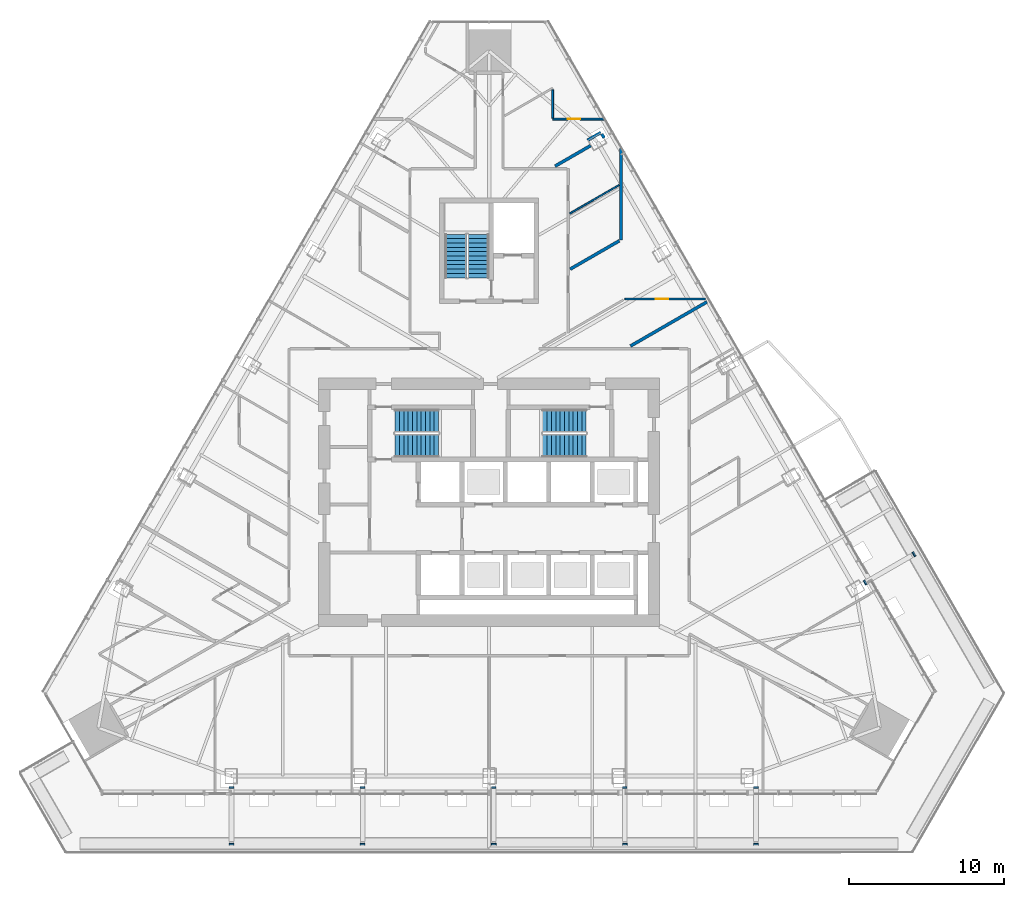
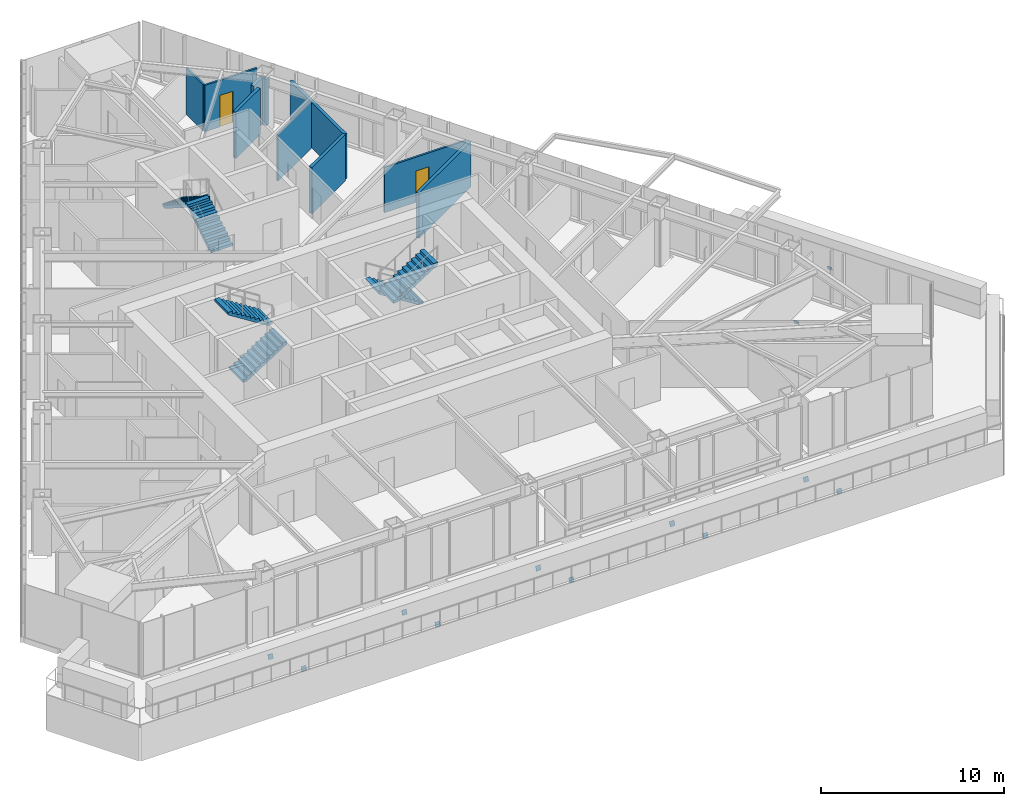
# One storey, part 18 of 21: 12 discrete accessories, 10 walls, 6 stair flights, 2 doors, 2 openings, 3 elements without a shape of their own.
"""IFC4 building model written with IfcOpenShell, lengths in metres."""

from ifc_helpers import new_model, si_unit, direction, frame, frame_2d, origin, place, context, subcontext, project, spatial, polyline, rectangle, outline, extrude, material, layer, layer_set, type_object, element, fill, aggregate, save


model = new_model("IFC4")

# Units and contexts
model_context = context("Model", 3, precision=1e-05, world=origin(), true_north=direction((0.0, 1.0)))
body_context = subcontext(model_context, "Body", "Model", "MODEL_VIEW")
ifc_project = project(units=[si_unit("LENGTHUNIT", "METRE"), si_unit("AREAUNIT", "SQUARE_METRE"), si_unit("VOLUMEUNIT", "CUBIC_METRE"), si_unit("PLANEANGLEUNIT", "RADIAN"), si_unit("MASSUNIT", "GRAM", prefix="KILO")], contexts=[model_context])

# Site, building, storey
site_placement = place(None, origin())
site = spatial("IfcSite", under=ifc_project, at=site_placement, CompositionType="ELEMENT")
building_placement = place(site_placement, origin())
building = spatial("IfcBuilding", under=site, at=building_placement, Name="Firuza Gate Tower and Library", CompositionType="ELEMENT")
storey_placement = place(building_placement, frame((0.0, 0.0, 222.10009765625)))
storey = spatial("IfcBuildingStorey", under=building, at=storey_placement, Name="L52", CompositionType="ELEMENT", Elevation=222.10009765625)

# Walls
ifc_material_1 = material(Name="Gypsum board partition")
ifc_layer_1 = layer(ifc_material_1, 0.199951171875)
ifc_layer_set_1 = layer_set([ifc_layer_1], Name="Demising wall 200 acoustic double stud")
wall_type_1 = type_object("IfcWallType", Name="Demising wall 200 acoustic double stud", PredefinedType="PARTITIONING", material=ifc_layer_set_1)
wall_1_placement = place(storey_placement, frame((84.115234375, 85.065185546875, 0.0), z_axis=(0.0, 0.0, 1.0), x_axis=(0.866027152591, 0.499996970966, 0.0)))
element("IfcWall", 1, at=wall_1_placement, inside=storey, type_object=wall_type_1, Name="f:L52:w025", PredefinedType="PARTITIONING", context=body_context, shape_type="SweptSolid", body=[
    extrude(rectangle(XDim=5.69677734375, YDim=0.199951171875, at=frame_2d((2.848388671875, 0.0))), origin(), (0.0, 0.0, 1.0), 3.02197265625),
])
wall_2_placement = place(storey_placement, frame((80.226806640625, 90.023193359375, 0.0), z_axis=(0.0, 0.0, 1.0), x_axis=(0.866020252061, 0.500008922941, 0.0)))
element("IfcWall", 2, at=wall_2_placement, inside=storey, type_object=wall_type_1, Name="f:L52:w028", PredefinedType="PARTITIONING", context=body_context, shape_type="SweptSolid", body=[
    extrude(rectangle(XDim=3.6640625, YDim=0.199951171875, at=frame_2d((1.83203125, 0.0))), origin(), (0.0, 0.0, 1.0), 3.099853515625),
])
wall_3_placement = place(storey_placement, frame((79.254638671875, 96.6650390625, 0.0), z_axis=(0.0, 0.0, 1.0), x_axis=(0.866048852527, 0.499959383386, 0.0)))
element("IfcWall", 3, at=wall_3_placement, inside=storey, type_object=wall_type_1, Name="f:L52:w030", PredefinedType="PARTITIONING", context=body_context, shape_type="SweptSolid", body=[
    extrude(rectangle(XDim=2.646240234375, YDim=0.199951171875, at=frame_2d((1.3232421875, 0.0))), origin(), (0.0, 0.0, 1.0), 3.099853515625),
])
wall_4_placement = place(storey_placement, frame((81.346435546875, 98.33447265625, 0.0), z_axis=(0.0, 0.0, 1.0), x_axis=(0.866010750942, 0.50002537861, 0.0)))
element("IfcWall", 4, at=wall_4_placement, inside=storey, type_object=wall_type_1, Name="f:L52:w031", PredefinedType="PARTITIONING", context=body_context, shape_type="SweptSolid", body=[
    extrude(rectangle(XDim=1.0, YDim=0.199951171875, at=frame_2d((0.5, 0.0))), origin(), (0.0, 0.0, 1.0), 3.099853515625),
])
wall_5_placement = place(storey_placement, frame((83.5, 91.912841796875, 0.0), z_axis=(0.0, 0.0, 1.0), x_axis=(0.0, 1.0, 0.0)))
element("IfcWall", 5, at=wall_5_placement, inside=storey, type_object=wall_type_1, Name="f:L52:w044", PredefinedType="PARTITIONING", context=body_context, shape_type="SweptSolid", body=[
    extrude(rectangle(XDim=5.8916015625, YDim=0.199951171875, at=frame_2d((2.94580078125, 0.0))), origin(), (0.0, 0.0, 1.0), 3.02197265625),
])
wall_6_placement = place(storey_placement, frame((82.412109375, 98.488037109375, 0.0), z_axis=(0.0, 0.0, 1.0), x_axis=(-0.499941024108, 0.866059450854, 0.0)))
element("IfcWall", 6, at=wall_6_placement, inside=storey, type_object=wall_type_1, Name="f:L52:w063", PredefinedType="PARTITIONING", context=body_context, shape_type="SweptSolid", body=[
    extrude(rectangle(XDim=0.2900390625, YDim=0.199951171875, at=frame_2d((0.14501953125, 0.0))), origin(), (0.0, 0.0, 1.0), 3.099853515625),
])
ifc_material_2 = material(Name="Gypsum board partition")
ifc_layer_2 = layer(ifc_material_2, 0.10009765625)
ifc_layer_set_2 = layer_set([ifc_layer_2], Name="Partition 100 gypsum board on steel studs")
wall_type_2 = type_object("IfcWallType", Name="Partition 100 gypsum board on steel studs", PredefinedType="PARTITIONING", material=ifc_layer_set_2)
wall_7_placement = place(storey_placement, frame((80.200927734375, 93.60986328125, 0.0), z_axis=(0.0, 0.0, 1.0), x_axis=(0.866020252061, 0.500008922941, 0.0)))
element("IfcWall", 7, at=wall_7_placement, inside=storey, type_object=wall_type_2, Name="f:L52:w029", PredefinedType="PARTITIONING", context=body_context, shape_type="SweptSolid", body=[
    extrude(rectangle(XDim=3.6640625, YDim=0.10009765625, at=frame_2d((1.83203125, 0.0))), origin(), (0.0, 0.0, 1.0), 3.099853515625),
])

# Wall, opening, door
ifc_material_3 = material(Name="Gypsum board partition")
ifc_layer_3 = layer(ifc_material_3, 0.1201171875)
ifc_layer_set_3 = layer_set([ifc_layer_3], Name="Wet-area partition 120 moisture-resistant board")
wall_type_3 = type_object("IfcWallType", Name="Wet-area partition 120 moisture-resistant board", PredefinedType="PARTITIONING", material=ifc_layer_set_3)
wall_8_placement = place(storey_placement, frame((88.941162109375, 88.10009765625, 0.0), z_axis=(0.0, 0.0, 1.0), x_axis=(-1.0, 0.0, 0.0)))
wall_8 = element("IfcWall", 8, at=wall_8_placement, inside=storey, type_object=wall_type_3, Name="f:L52:w006", PredefinedType="PARTITIONING", context=body_context, shape_type="SweptSolid", body=[
    extrude(rectangle(XDim=5.183349609375, YDim=0.1201171875, at=frame_2d((2.591796875, 0.0))), origin(), (0.0, 0.0, 1.0), 3.02197265625),
])
opening_1_placement = place(wall_8_placement, frame((2.3994140625, 0.0, 0.0)))
opening_1 = element("IfcOpeningElement", 9, at=opening_1_placement, cuts=wall_8, Name="Opening L52-08", PredefinedType="OPENING", context=body_context, shape_type="SweptSolid", body=[
    extrude(rectangle(XDim=0.800048828125, YDim=2.10009765625, at=frame_2d((0.39990234375, 1.050048828125))), frame((0.0, 0.070068359375, 0.0), z_axis=(0.0, -1.0, 0.0), x_axis=(1.0, 0.0, 0.0)), (0.0, 0.0, 1.0), 0.14013671875),
])
ifc_material_4 = material(Name="Timber door", Category="wood")
door_type = type_object("IfcDoorType", Name="Door 800 x 2100 timber leaf", OperationType="NOTDEFINED", PredefinedType="DOOR", material=ifc_material_4)
door_1_placement = place(opening_1_placement, origin())
door_1 = element("IfcDoor", 10, at=door_1_placement, inside=storey, type_object=door_type, Name="f:L52:d008", OperationType="SINGLE_SWING_LEFT", OverallHeight=2.10009765625, OverallWidth=0.800048828125, PredefinedType="DOOR", context=body_context, shape_type="SweptSolid", body=[
    extrude(rectangle(XDim=0.800048828125, YDim=2.10009765625, at=frame_2d((0.39990234375, 1.050048828125))), frame((0.0, 0.02490234375, 0.0), z_axis=(0.0, -1.0, 0.0), x_axis=(1.0, 0.0, 0.0)), (0.0, 0.0, 1.0), 0.050048828125),
])
fill(opening_1, door_1)

wall_9_placement = place(storey_placement, frame((82.405517578125, 99.699951171875, 0.0), z_axis=(0.0, 0.0, 1.0), x_axis=(-1.0, 0.0, 0.0)))
wall_9 = element("IfcWall", 11, at=wall_9_placement, inside=storey, type_object=wall_type_3, Name="f:L52:w010", PredefinedType="PARTITIONING", context=body_context, shape_type="SweptSolid", body=[
    extrude(rectangle(XDim=3.305419921875, YDim=0.1201171875, at=frame_2d((1.65283203125, 0.0))), origin(), (0.0, 0.0, 1.0), 3.099853515625),
])
opening_2_placement = place(wall_9_placement, frame((1.54150390625, 0.0, 0.0)))
opening_2 = element("IfcOpeningElement", 12, at=opening_2_placement, cuts=wall_9, Name="Opening L52-09", PredefinedType="OPENING", context=body_context, shape_type="SweptSolid", body=[
    extrude(rectangle(XDim=0.800048828125, YDim=2.10009765625, at=frame_2d((0.39990234375, 1.050048828125))), frame((0.0, 0.070068359375, 0.0), z_axis=(0.0, -1.0, 0.0), x_axis=(1.0, 0.0, 0.0)), (0.0, 0.0, 1.0), 0.14013671875),
])
door_2_placement = place(opening_2_placement, origin())
door_2 = element("IfcDoor", 13, at=door_2_placement, inside=storey, type_object=door_type, Name="f:L52:d009", OperationType="SINGLE_SWING_LEFT", OverallHeight=2.10009765625, OverallWidth=0.800048828125, PredefinedType="DOOR", context=body_context, shape_type="SweptSolid", body=[
    extrude(rectangle(XDim=0.800048828125, YDim=2.10009765625, at=frame_2d((0.39990234375, 1.050048828125))), frame((0.0, 0.02490234375, 0.0), z_axis=(0.0, -1.0, 0.0), x_axis=(1.0, 0.0, 0.0)), (0.0, 0.0, 1.0), 0.050048828125),
])
fill(opening_2, door_2)

# Wall
wall_10_placement = place(storey_placement, frame((79.10009765625, 99.760009765625, 0.0), z_axis=(0.0, 0.0, 1.0), x_axis=(0.0, 1.0, 0.0)))
element("IfcWall", 14, at=wall_10_placement, inside=storey, type_object=wall_type_3, Name="f:L52:w046", PredefinedType="PARTITIONING", context=body_context, shape_type="SweptSolid", body=[
    extrude(rectangle(XDim=1.828857421875, YDim=0.1201171875, at=frame_2d((0.91455078125, 0.0))), origin(), (0.0, 0.0, 1.0), 3.099853515625),
])

# Stair, stair flights
ifc_material_5 = material(Name="Concrete C35/45", Category="concrete")
stair_type_1 = type_object("IfcStairType", Name="Exit stair ST16", PredefinedType="HALF_TURN_STAIR", material=ifc_material_5)
placement = place(storey_placement, origin())
stair_1 = element("IfcStair", 15, at=placement, inside=storey, type_object=stair_type_1, Name="L52 Stair ST3", PredefinedType="HALF_TURN_STAIR")
ifc_material_6 = material(Name="Concrete C35/45", Category="concrete")
stair_flight_type_1 = type_object("IfcStairFlightType", Name="Stair flight 11 risers 177.3 width 1370", PredefinedType="STRAIGHT", material=ifc_material_6)
stair_flight_1_placement = place(storey_placement, frame((74.31494140625, 89.469970703125, 0.0), z_axis=(0.0, 0.0, 1.0), x_axis=(0.0, 1.0, 0.0)))
stair_flight_1 = element("IfcStairFlight", 16, at=stair_flight_1_placement, type_object=stair_flight_type_1, Name="ST3 flight 1", NumberOfRisers=11, NumberOfTreads=10, PredefinedType="STRAIGHT", RiserHeight=0.177272727, TreadLength=0.28, context=body_context, shape_type="SweptSolid", body=[
    extrude(outline(polyline([(0.0, 0.0), (0.0, 0.17724609375), (0.280029296875, 0.17724609375), (0.280029296875, 0.3544921875), (0.56005859375, 0.3544921875), (0.56005859375, 0.53173828125), (0.840087890625, 0.53173828125), (0.840087890625, 0.708984375), (1.1201171875, 0.708984375), (1.1201171875, 0.886474609375), (1.39990234375, 0.886474609375), (1.39990234375, 1.063720703125), (1.679931640625, 1.063720703125), (1.679931640625, 1.240966796875), (1.9599609375, 1.240966796875), (1.9599609375, 1.418212890625), (2.239990234375, 1.418212890625), (2.239990234375, 1.595458984375), (2.52001953125, 1.595458984375), (2.52001953125, 1.772705078125), (2.800048828125, 1.772705078125), (2.800048828125, 1.949951171875), (2.800048828125, 1.59521484375), (0.2802734375, 0.0), (0.0, 0.0)])), frame((0.0, 0.68505859375, 0.0), z_axis=(0.0, -1.0, 0.0), x_axis=(1.0, 0.0, 0.0)), (0.0, 0.0, 1.0), 1.3701171875),
])
stair_flight_2_placement = place(storey_placement, frame((72.844970703125, 92.27001953125, 1.949951171875), z_axis=(0.0, 0.0, 1.0), x_axis=(0.0, -1.0, 0.0)))
stair_flight_2 = element("IfcStairFlight", 17, at=stair_flight_2_placement, type_object=stair_flight_type_1, Name="ST3 flight 2", NumberOfRisers=11, NumberOfTreads=10, PredefinedType="STRAIGHT", RiserHeight=0.177272727, TreadLength=0.28, context=body_context, shape_type="SweptSolid", body=[
    extrude(outline(polyline([(0.0, 0.0), (0.0, 0.17724609375), (0.280029296875, 0.17724609375), (0.280029296875, 0.3544921875), (0.56005859375, 0.3544921875), (0.56005859375, 0.53173828125), (0.840087890625, 0.53173828125), (0.840087890625, 0.708984375), (1.1201171875, 0.708984375), (1.1201171875, 0.886474609375), (1.39990234375, 0.886474609375), (1.39990234375, 1.063720703125), (1.679931640625, 1.063720703125), (1.679931640625, 1.240966796875), (1.9599609375, 1.240966796875), (1.9599609375, 1.418212890625), (2.239990234375, 1.418212890625), (2.239990234375, 1.595458984375), (2.52001953125, 1.595458984375), (2.52001953125, 1.772705078125), (2.800048828125, 1.772705078125), (2.800048828125, 1.949951171875), (2.800048828125, 1.59521484375), (0.2802734375, 0.0), (0.0, 0.0)])), frame((0.0, 0.68505859375, 0.0), z_axis=(0.0, -1.0, 0.0), x_axis=(1.0, 0.0, 0.0)), (0.0, 0.0, 1.0), 1.3701171875),
])
aggregate(stair_1, [stair_flight_1, stair_flight_2])

ifc_material_7 = material(Name="Concrete C35/45", Category="concrete")
stair_type_2 = type_object("IfcStairType", Name="Exit stair ST7", PredefinedType="HALF_TURN_STAIR", material=ifc_material_7)
stair_2 = element("IfcStair", 18, at=placement, inside=storey, type_object=stair_type_2, Name="L52 Stair ST1", PredefinedType="HALF_TURN_STAIR")
ifc_material_8 = material(Name="Concrete C35/45", Category="concrete")
stair_flight_type_2 = type_object("IfcStairFlightType", Name="Stair flight 11 risers 177.3 width 1490", PredefinedType="STRAIGHT", material=ifc_material_8)
stair_flight_3_placement = place(storey_placement, frame((68.93994140625, 78.64501953125, 0.0), z_axis=(0.0, 0.0, 1.0), x_axis=(1.0, 0.0, 0.0)))
stair_flight_3 = element("IfcStairFlight", 19, at=stair_flight_3_placement, type_object=stair_flight_type_2, Name="ST1 flight 1", NumberOfRisers=11, NumberOfTreads=10, PredefinedType="STRAIGHT", RiserHeight=0.177272727, TreadLength=0.28, context=body_context, shape_type="SweptSolid", body=[
    extrude(outline(polyline([(0.0, 0.0), (0.0, 0.17724609375), (0.280029296875, 0.17724609375), (0.280029296875, 0.3544921875), (0.56005859375, 0.3544921875), (0.56005859375, 0.53173828125), (0.840087890625, 0.53173828125), (0.840087890625, 0.708984375), (1.1201171875, 0.708984375), (1.1201171875, 0.886474609375), (1.39990234375, 0.886474609375), (1.39990234375, 1.063720703125), (1.679931640625, 1.063720703125), (1.679931640625, 1.240966796875), (1.9599609375, 1.240966796875), (1.9599609375, 1.418212890625), (2.239990234375, 1.418212890625), (2.239990234375, 1.595458984375), (2.52001953125, 1.595458984375), (2.52001953125, 1.772705078125), (2.800048828125, 1.772705078125), (2.800048828125, 1.949951171875), (2.800048828125, 1.59521484375), (0.2802734375, 0.0), (0.0, 0.0)])), frame((0.0, 0.7451171875, 0.0), z_axis=(0.0, -1.0, 0.0), x_axis=(1.0, 0.0, 0.0)), (0.0, 0.0, 1.0), 1.489990234375),
])
stair_flight_4_placement = place(storey_placement, frame((71.739990234375, 80.235107421875, 1.949951171875), z_axis=(0.0, 0.0, 1.0), x_axis=(-1.0, 0.0, 0.0)))
stair_flight_4 = element("IfcStairFlight", 20, at=stair_flight_4_placement, type_object=stair_flight_type_2, Name="ST1 flight 2", NumberOfRisers=11, NumberOfTreads=10, PredefinedType="STRAIGHT", RiserHeight=0.177272727, TreadLength=0.28, context=body_context, shape_type="SweptSolid", body=[
    extrude(outline(polyline([(0.0, 0.0), (0.0, 0.17724609375), (0.280029296875, 0.17724609375), (0.280029296875, 0.3544921875), (0.56005859375, 0.3544921875), (0.56005859375, 0.53173828125), (0.840087890625, 0.53173828125), (0.840087890625, 0.708984375), (1.1201171875, 0.708984375), (1.1201171875, 0.886474609375), (1.39990234375, 0.886474609375), (1.39990234375, 1.063720703125), (1.679931640625, 1.063720703125), (1.679931640625, 1.240966796875), (1.9599609375, 1.240966796875), (1.9599609375, 1.418212890625), (2.239990234375, 1.418212890625), (2.239990234375, 1.595458984375), (2.52001953125, 1.595458984375), (2.52001953125, 1.772705078125), (2.800048828125, 1.772705078125), (2.800048828125, 1.949951171875), (2.800048828125, 1.59521484375), (0.2802734375, 0.0), (0.0, 0.0)])), frame((0.0, 0.7451171875, 0.0), z_axis=(0.0, -1.0, 0.0), x_axis=(1.0, 0.0, 0.0)), (0.0, 0.0, 1.0), 1.489990234375),
])
aggregate(stair_2, [stair_flight_3, stair_flight_4])

stair_3 = element("IfcStair", 21, at=placement, inside=storey, type_object=stair_type_2, Name="L52 Stair ST2", PredefinedType="HALF_TURN_STAIR")
stair_flight_5_placement = place(storey_placement, frame((81.260009765625, 80.235107421875, 0.0), z_axis=(0.0, 0.0, 1.0), x_axis=(-1.0, 0.0, 0.0)))
stair_flight_5 = element("IfcStairFlight", 22, at=stair_flight_5_placement, type_object=stair_flight_type_2, Name="ST2 flight 1", NumberOfRisers=11, NumberOfTreads=10, PredefinedType="STRAIGHT", RiserHeight=0.177272727, TreadLength=0.28, context=body_context, shape_type="SweptSolid", body=[
    extrude(outline(polyline([(0.0, 0.0), (0.0, 0.17724609375), (0.280029296875, 0.17724609375), (0.280029296875, 0.3544921875), (0.56005859375, 0.3544921875), (0.56005859375, 0.53173828125), (0.840087890625, 0.53173828125), (0.840087890625, 0.708984375), (1.1201171875, 0.708984375), (1.1201171875, 0.886474609375), (1.39990234375, 0.886474609375), (1.39990234375, 1.063720703125), (1.679931640625, 1.063720703125), (1.679931640625, 1.240966796875), (1.9599609375, 1.240966796875), (1.9599609375, 1.418212890625), (2.239990234375, 1.418212890625), (2.239990234375, 1.595458984375), (2.52001953125, 1.595458984375), (2.52001953125, 1.772705078125), (2.800048828125, 1.772705078125), (2.800048828125, 1.949951171875), (2.800048828125, 1.59521484375), (0.2802734375, 0.0), (0.0, 0.0)])), frame((0.0, 0.7451171875, 0.0), z_axis=(0.0, -1.0, 0.0), x_axis=(1.0, 0.0, 0.0)), (0.0, 0.0, 1.0), 1.489990234375),
])
stair_flight_6_placement = place(storey_placement, frame((78.4599609375, 78.64501953125, 1.949951171875), z_axis=(0.0, 0.0, 1.0), x_axis=(1.0, 0.0, 0.0)))
stair_flight_6 = element("IfcStairFlight", 23, at=stair_flight_6_placement, type_object=stair_flight_type_2, Name="ST2 flight 2", NumberOfRisers=11, NumberOfTreads=10, PredefinedType="STRAIGHT", RiserHeight=0.177272727, TreadLength=0.28, context=body_context, shape_type="SweptSolid", body=[
    extrude(outline(polyline([(0.0, 0.0), (0.0, 0.17724609375), (0.280029296875, 0.17724609375), (0.280029296875, 0.3544921875), (0.56005859375, 0.3544921875), (0.56005859375, 0.53173828125), (0.840087890625, 0.53173828125), (0.840087890625, 0.708984375), (1.1201171875, 0.708984375), (1.1201171875, 0.886474609375), (1.39990234375, 0.886474609375), (1.39990234375, 1.063720703125), (1.679931640625, 1.063720703125), (1.679931640625, 1.240966796875), (1.9599609375, 1.240966796875), (1.9599609375, 1.418212890625), (2.239990234375, 1.418212890625), (2.239990234375, 1.595458984375), (2.52001953125, 1.595458984375), (2.52001953125, 1.772705078125), (2.800048828125, 1.772705078125), (2.800048828125, 1.949951171875), (2.800048828125, 1.59521484375), (0.2802734375, 0.0), (0.0, 0.0)])), frame((0.0, 0.7451171875, 0.0), z_axis=(0.0, -1.0, 0.0), x_axis=(1.0, 0.0, 0.0)), (0.0, 0.0, 1.0), 1.489990234375),
])
aggregate(stair_3, [stair_flight_5, stair_flight_6])

# Discrete accessories
ifc_material_9 = material(Name="Steel S355", Category="steel")
ifc_layer_4 = layer(ifc_material_9, 0.02001953125)
ifc_layer_set_4 = layer_set([ifc_layer_4], Name="Strut seat plate 304x304x20 Steel S355")
discrete_accessory_type = type_object("IfcDiscreteAccessoryType", Name="Strut seat plate 304x304x20 Steel S355", PredefinedType="BRACKET", material=ifc_layer_set_4)
discrete_accessory_1_placement = place(storey_placement, frame((58.540771484375, 56.63623046875, -1.53564453125), z_axis=(0.0, -0.931869039224, 0.362794836976), x_axis=(-1.0, 0.0, 0.0)))
element("IfcDiscreteAccessory", 24, at=discrete_accessory_1_placement, inside=storey, type_object=discrete_accessory_type, Name="Strut seat plate L52 col:L51:S1", PredefinedType="BRACKET", context=body_context, shape_type="SweptSolid", body=[
    extrude(outline(polyline([(0.0, 0.0), (0.30419921875, 0.0), (0.30419921875, 0.3041707082157661), (0.0, 0.3041707082157661), (0.0, 0.0)])), origin(), (0.0, 0.0, -1.0), 0.02001953125),
])
discrete_accessory_2_placement = place(storey_placement, frame((58.236572265625, 52.998779296875, -0.12109375), z_axis=(0.0, -0.932140212882, 0.36209753317), x_axis=(1.0, 0.0, 0.0)))
element("IfcDiscreteAccessory", 25, at=discrete_accessory_2_placement, inside=storey, type_object=discrete_accessory_type, Name="Strut seat plate L52 col:L51:S1", PredefinedType="BRACKET", context=body_context, shape_type="SweptSolid", body=[
    extrude(outline(polyline([(0.0, 0.0), (0.30419921875, 0.0), (0.30419921875, -0.3040822203652304), (0.0, -0.3040822203652304), (0.0, 0.0)])), origin(), (0.0, 0.0, -1.0), 0.02001953125),
])
discrete_accessory_3_placement = place(storey_placement, frame((66.996337890625, 56.63623046875, -1.53564453125), z_axis=(0.0, -0.931869039224, 0.362794836976), x_axis=(-1.0, 0.0, 0.0)))
element("IfcDiscreteAccessory", 26, at=discrete_accessory_3_placement, inside=storey, type_object=discrete_accessory_type, Name="Strut seat plate L52 col:L51:S2", PredefinedType="BRACKET", context=body_context, shape_type="SweptSolid", body=[
    extrude(outline(polyline([(0.0, 0.0), (0.303955078125, 0.0), (0.303955078125, 0.30417070821576603), (0.0, 0.30417070821576603), (0.0, 0.0)])), origin(), (0.0, 0.0, -1.0), 0.02001953125),
])
discrete_accessory_4_placement = place(storey_placement, frame((66.6923828125, 52.998779296875, -0.12109375), z_axis=(0.0, -0.932140212882, 0.36209753317), x_axis=(1.0, 0.0, 0.0)))
element("IfcDiscreteAccessory", 27, at=discrete_accessory_4_placement, inside=storey, type_object=discrete_accessory_type, Name="Strut seat plate L52 col:L51:S2", PredefinedType="BRACKET", context=body_context, shape_type="SweptSolid", body=[
    extrude(outline(polyline([(0.0, 0.0), (0.303955078125, 0.0), (0.303955078125, -0.3040822203652304), (0.0, -0.3040822203652304), (0.0, 0.0)])), origin(), (0.0, 0.0, -1.0), 0.02001953125),
])
discrete_accessory_5_placement = place(storey_placement, frame((75.451904296875, 56.63623046875, -1.53564453125), z_axis=(0.0, -0.931869039224, 0.362794836976), x_axis=(-1.0, 0.0, 0.0)))
element("IfcDiscreteAccessory", 28, at=discrete_accessory_5_placement, inside=storey, type_object=discrete_accessory_type, Name="Strut seat plate L52 col:L51:S3", PredefinedType="BRACKET", context=body_context, shape_type="SweptSolid", body=[
    extrude(outline(polyline([(0.0, 0.0), (0.303955078125, 0.0), (0.303955078125, 0.30417070821576603), (0.0, 0.30417070821576603), (0.0, 0.0)])), origin(), (0.0, 0.0, -1.0), 0.02001953125),
])
discrete_accessory_6_placement = place(storey_placement, frame((75.14794921875, 52.998779296875, -0.12109375), z_axis=(0.0, -0.932140212882, 0.36209753317), x_axis=(1.0, 0.0, 0.0)))
element("IfcDiscreteAccessory", 29, at=discrete_accessory_6_placement, inside=storey, type_object=discrete_accessory_type, Name="Strut seat plate L52 col:L51:S3", PredefinedType="BRACKET", context=body_context, shape_type="SweptSolid", body=[
    extrude(outline(polyline([(0.0, 0.0), (0.303955078125, 0.0), (0.303955078125, -0.3040822203652304), (0.0, -0.3040822203652304), (0.0, 0.0)])), origin(), (0.0, 0.0, -1.0), 0.02001953125),
])
discrete_accessory_7_placement = place(storey_placement, frame((83.90771484375, 56.63623046875, -1.53564453125), z_axis=(0.0, -0.931869039224, 0.362794836976), x_axis=(-1.0, 0.0, 0.0)))
element("IfcDiscreteAccessory", 30, at=discrete_accessory_7_placement, inside=storey, type_object=discrete_accessory_type, Name="Strut seat plate L52 col:L51:S4", PredefinedType="BRACKET", context=body_context, shape_type="SweptSolid", body=[
    extrude(outline(polyline([(0.0, 0.0), (0.303955078125, 0.0), (0.303955078125, 0.30417070821576603), (0.0, 0.30417070821576603), (0.0, 0.0)])), origin(), (0.0, 0.0, -1.0), 0.02001953125),
])
discrete_accessory_8_placement = place(storey_placement, frame((83.603759765625, 52.998779296875, -0.12109375), z_axis=(0.0, -0.932140212882, 0.36209753317), x_axis=(1.0, 0.0, 0.0)))
element("IfcDiscreteAccessory", 31, at=discrete_accessory_8_placement, inside=storey, type_object=discrete_accessory_type, Name="Strut seat plate L52 col:L51:S4", PredefinedType="BRACKET", context=body_context, shape_type="SweptSolid", body=[
    extrude(outline(polyline([(0.0, 0.0), (0.303955078125, 0.0), (0.303955078125, -0.3040822203652304), (0.0, -0.3040822203652304), (0.0, 0.0)])), origin(), (0.0, 0.0, -1.0), 0.02001953125),
])
discrete_accessory_9_placement = place(storey_placement, frame((92.36328125, 56.63623046875, -1.53564453125), z_axis=(0.0, -0.931869039224, 0.362794836976), x_axis=(-1.0, 0.0, 0.0)))
element("IfcDiscreteAccessory", 32, at=discrete_accessory_9_placement, inside=storey, type_object=discrete_accessory_type, Name="Strut seat plate L52 col:L51:S5", PredefinedType="BRACKET", context=body_context, shape_type="SweptSolid", body=[
    extrude(outline(polyline([(0.0, 0.0), (0.303955078125, 0.0), (0.303955078125, 0.30417070821576603), (0.0, 0.30417070821576603), (0.0, 0.0)])), origin(), (0.0, 0.0, -1.0), 0.02001953125),
])
discrete_accessory_10_placement = place(storey_placement, frame((92.059326171875, 52.998779296875, -0.12109375), z_axis=(0.0, -0.932140212882, 0.36209753317), x_axis=(1.0, 0.0, 0.0)))
element("IfcDiscreteAccessory", 33, at=discrete_accessory_10_placement, inside=storey, type_object=discrete_accessory_type, Name="Strut seat plate L52 col:L51:S5", PredefinedType="BRACKET", context=body_context, shape_type="SweptSolid", body=[
    extrude(outline(polyline([(0.0, 0.0), (0.303955078125, 0.0), (0.303955078125, -0.3040822203652304), (0.0, -0.3040822203652304), (0.0, 0.0)])), origin(), (0.0, 0.0, -1.0), 0.02001953125),
])
discrete_accessory_11_placement = place(storey_placement, frame((99.13330078125, 69.927734375, -1.53564453125), z_axis=(0.807328680114, 0.465982478786, 0.362050730879), x_axis=(0.499879541517, -0.86609493793, 4.9649318e-05)))
element("IfcDiscreteAccessory", 34, at=discrete_accessory_11_placement, inside=storey, type_object=discrete_accessory_type, Name="Strut seat plate L52 col:L51:E1", PredefinedType="BRACKET", context=body_context, shape_type="SweptSolid", body=[
    extrude(outline(polyline([(0.0, 0.0), (0.3038514203886584, -6.938893903907228e-18), (0.30397932489075313, 0.3040924812193591), (-0.00020558536105154057, 0.3040600955330893), (0.0, 0.0)])), origin(), (0.0, 0.0, -1.0), 0.02001953125),
])
discrete_accessory_12_placement = place(storey_placement, frame((102.435302734375, 71.483154296875, -0.12109375), z_axis=(0.807328680114, 0.465982478786, 0.362050730879), x_axis=(-0.499958509514, 0.866049337216, 0.000185130659)))
element("IfcDiscreteAccessory", 35, at=discrete_accessory_12_placement, inside=storey, type_object=discrete_accessory_type, Name="Strut seat plate L52 col:L51:E1", PredefinedType="BRACKET", context=body_context, shape_type="SweptSolid", body=[
    extrude(outline(polyline([(0.0, 0.0), (0.3039734709339328, 0.0), (0.3039804133889135, -0.3041366678271067), (-8.243518850123039e-05, -0.3040159092009001), (0.0, 0.0)])), origin(), (0.0, 0.0, -1.0), 0.02001953125),
])

save(model, "model.ifc")
